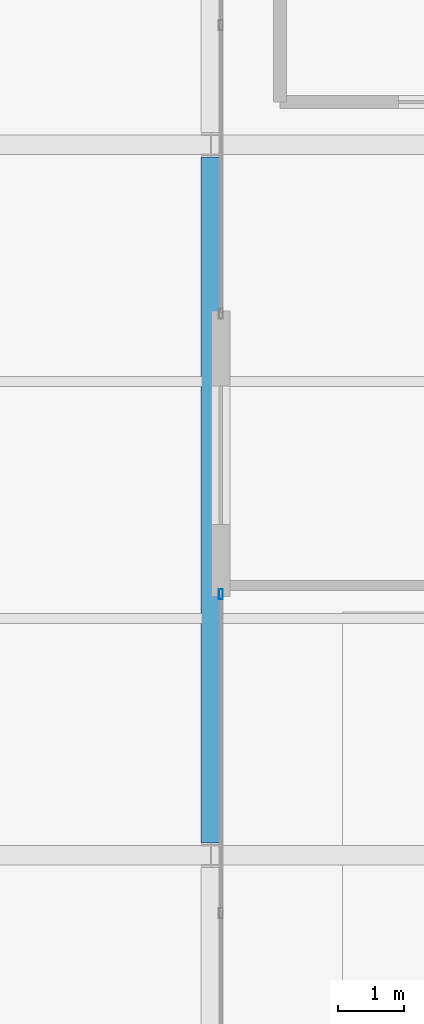
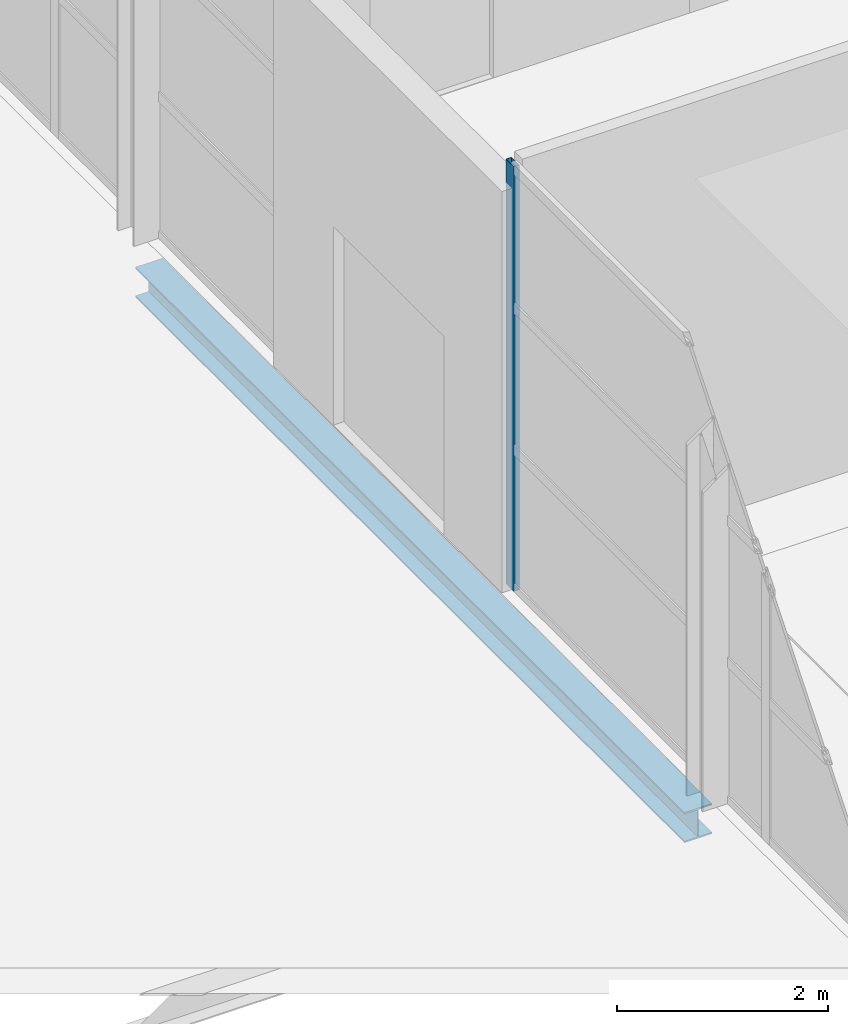
# One storey, part 9 of 34: 1 beam, 1 member, 1 element without a shape of its own.
"""IFC4 building model written with IfcOpenShell, lengths in metres."""

from ifc_helpers import new_model, si_unit, direction, frame, origin, origin_2d, place, context, subcontext, project, spatial, hollow_rectangle, i_section, extrude, material, layer, layer_set, material_profile, profile_set, type_object, element, aggregate, save


model = new_model("IFC4")

# Units and contexts
model_context = context("Model", 3, precision=1e-05, world=origin(), true_north=direction((0.0, 1.0)))
body_context = subcontext(model_context, "Body", "Model", "MODEL_VIEW")
ifc_project = project(units=[si_unit("LENGTHUNIT", "METRE"), si_unit("AREAUNIT", "SQUARE_METRE"), si_unit("VOLUMEUNIT", "CUBIC_METRE"), si_unit("PLANEANGLEUNIT", "RADIAN"), si_unit("MASSUNIT", "GRAM", prefix="KILO")], contexts=[model_context])

# Site, building, storey
site_placement = place(None, origin())
site = spatial("IfcSite", under=ifc_project, at=site_placement, CompositionType="ELEMENT")
building_placement = place(site_placement, origin())
building = spatial("IfcBuilding", under=site, at=building_placement, Name="Tamarisk Ironworks Central Station", CompositionType="ELEMENT")
storey_placement = place(building_placement, frame((0.0, 0.0, 25.199951171875)))
storey = spatial("IfcBuildingStorey", under=building, at=storey_placement, Name="L05", CompositionType="ELEMENT", Elevation=25.199951171875)

# Beam
ifc_material_1 = material(Name="Structural steel S355J2", Category="steel")
ifc_material_profile_1 = material_profile(ifc_material_1, i_section(OverallWidth=0.300048828125, OverallDepth=0.35009765625, WebThickness=0.010009765625, FlangeThickness=0.017578125, at=origin_2d()), Name="HEA 360")
ifc_profile_set_1 = profile_set([ifc_material_profile_1], Name="Structural steel S355J2")
beam_type = type_object("IfcBeamType", Name="BM-G08", PredefinedType="BEAM", material=ifc_profile_set_1)
beam_placement = place(storey_placement, frame((140.0, 100.988037109375, -0.39501953125), z_axis=(0.0, 1.0, 0.0), x_axis=(-1.0, 0.0, 0.0)))
element("IfcBeam", 1, at=beam_placement, inside=storey, type_object=beam_type, Name="L05 primary girder Y-0774", PredefinedType="BEAM", context=body_context, shape_type="SweptSolid", body=[
    extrude(i_section(OverallWidth=0.300048828125, OverallDepth=0.35009765625, WebThickness=0.010009765625, FlangeThickness=0.017578125, at=origin_2d()), origin(), (0.0, 0.0, 1.0), 10.424072265625),
])

# Curtain wall, member
ifc_material_2 = material(Name="Anodized aluminium alloy 6063-T6", Category="aluminium")
ifc_layer = layer(ifc_material_2, 0.179931640625)
ifc_layer_set = layer_set([ifc_layer], Name="Anodized aluminium alloy 6063-T6")
curtain_wall_type = type_object("IfcCurtainWallType", Name="CW-20", PredefinedType="USERDEFINED", material=ifc_layer_set)
curtain_wall_placement = place(storey_placement, origin())
curtain_wall = element("IfcCurtainWall", 2, at=curtain_wall_placement, inside=storey, type_object=curtain_wall_type, Name="Crown terrace overlook curtain wall L05-158", ObjectType="GLAZED CURTAIN WALL", PredefinedType="USERDEFINED")
ifc_material_profile_2 = material_profile(ifc_material_2, hollow_rectangle(XDim=0.06005859375, YDim=0.14990234375, WallThickness=0.00341796875, at=origin_2d()), Name="ALUM 150x60")
ifc_profile_set_2 = profile_set([ifc_material_profile_2], Name="Anodized aluminium alloy 6063-T6")
member_type = type_object("IfcMemberType", Name="CWM-03", PredefinedType="MULLION", material=ifc_profile_set_2)
member_placement = place(storey_placement, frame((140.14990234375, 104.77001953125, 0.0), z_axis=(0.0, 0.0, 1.0), x_axis=(-1.0, 0.0, 0.0)))
member = element("IfcMember", 3, at=member_placement, type_object=member_type, Name="CW20 mullion 4", PredefinedType="MULLION", context=body_context, shape_type="SweptSolid", body=[
    extrude(hollow_rectangle(XDim=0.06005859375, YDim=0.14990234375, WallThickness=0.00341796875, at=origin_2d()), origin(), (0.0, 0.0, 1.0), 4.920166015625),
])
aggregate(curtain_wall, [member])

save(model, "model.ifc")
